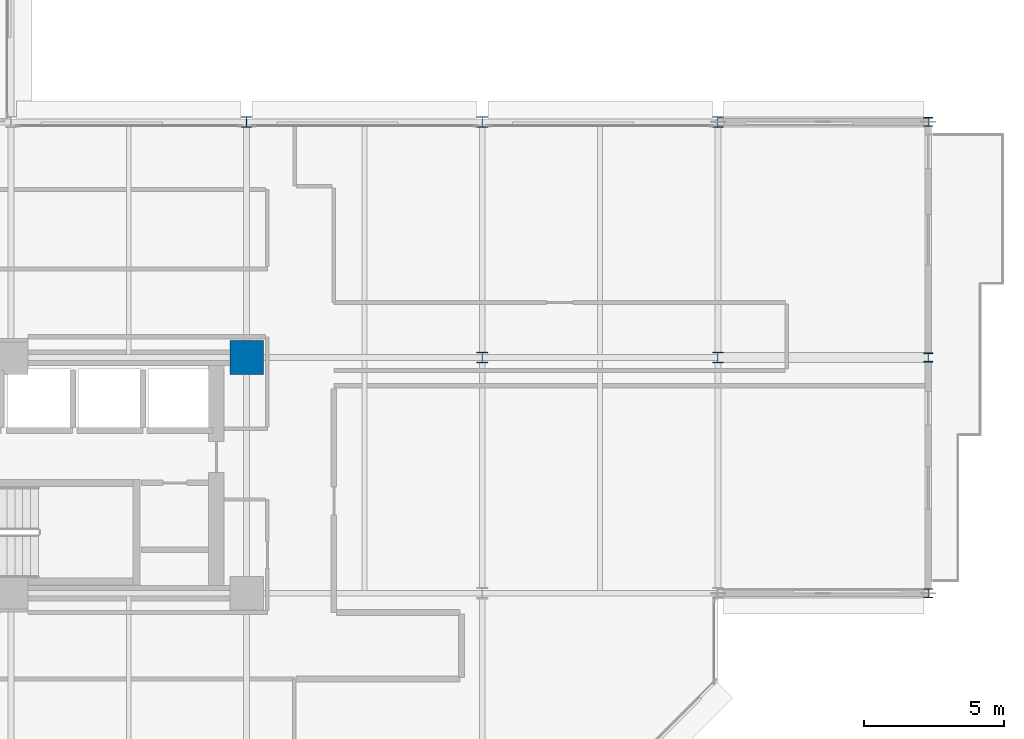
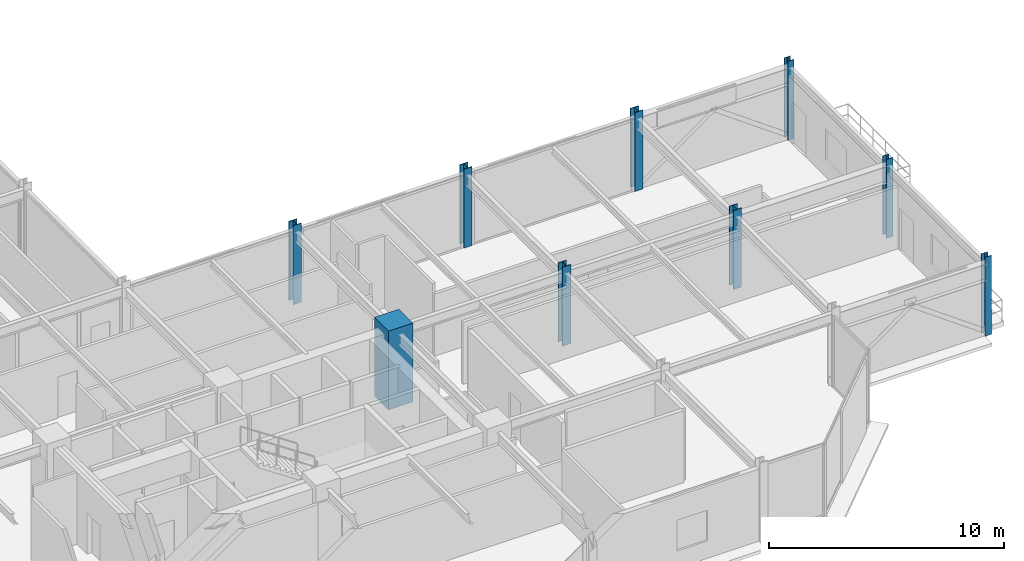
# One storey, part 2 of 40: 9 columns.
"""IFC4 building model written with IfcOpenShell, lengths in metres."""

from ifc_helpers import new_model, si_unit, direction, frame, origin, origin_2d, place, context, subcontext, project, spatial, rectangle, i_section, extrude, material, material_profile, profile_set, type_object, element, save


model = new_model("IFC4")

# Units and contexts
model_context = context("Model", 3, precision=1e-05, world=origin(), true_north=direction((0.0, 1.0)))
body_context = subcontext(model_context, "Body", "Model", "MODEL_VIEW")
ifc_project = project(units=[si_unit("LENGTHUNIT", "METRE"), si_unit("AREAUNIT", "SQUARE_METRE"), si_unit("VOLUMEUNIT", "CUBIC_METRE"), si_unit("PLANEANGLEUNIT", "RADIAN"), si_unit("MASSUNIT", "GRAM", prefix="KILO")], contexts=[model_context])

# Site, building, storey
site_placement = place(None, origin())
site = spatial("IfcSite", under=ifc_project, at=site_placement, CompositionType="ELEMENT")
building_placement = place(site_placement, origin())
building = spatial("IfcBuilding", under=site, at=building_placement, Name="Nerrivon Quay Data Exchange", CompositionType="ELEMENT")
storey_placement = place(building_placement, frame((0.0, 0.0, 109.0)))
storey = spatial("IfcBuildingStorey", under=building, at=storey_placement, Name="L25", CompositionType="ELEMENT", Elevation=109.0)

# Columns
ifc_material_1 = material(Name="Concrete S65 (65 MPa)", Category="concrete")
ifc_material_profile_1 = material_profile(ifc_material_1, rectangle(XDim=1.199951171875, YDim=1.199951171875, at=origin_2d()), Name="RC-COL-1200x1200")
ifc_profile_set_1 = profile_set([ifc_material_profile_1], Name="Concrete S65 (65 MPa)")
column_type_1 = type_object("IfcColumnType", Name="COL-C3-1200", PredefinedType="COLUMN", material=ifc_profile_set_1)
column_placement = place(storey_placement, frame((33.60009765625, 16.800048828125, 0.0), z_axis=(0.0, 0.0, 1.0), x_axis=(1.0, 0.0, 0.0)))
element("IfcColumn", 1, at=column_placement, inside=storey, type_object=column_type_1, Name="L25 Column (33.6,16.8)", PredefinedType="COLUMN", context=body_context, shape_type="SweptSolid", body=[
    extrude(rectangle(XDim=1.199951171875, YDim=1.199951171875, at=origin_2d()), origin(), (0.0, 0.0, 1.0), 4.10009765625),
])
ifc_material_2 = material(Name="Steel Grade 350", Category="steel")
ifc_material_profile_2 = material_profile(ifc_material_2, i_section(OverallWidth=0.39990234375, OverallDepth=0.39990234375, WebThickness=0.02490234375, FlangeThickness=0.0400390625, at=origin_2d()), Name="400WC328")
ifc_profile_set_2 = profile_set([ifc_material_profile_2], Name="Steel Grade 350")
column_type_2 = type_object("IfcColumnType", Name="COL-SC2-400WC", PredefinedType="COLUMN", material=ifc_profile_set_2)
for number, where, z_axis, x_axis, name in (
    (2, (33.60009765625, 25.199951171875, 0.0), (0.0, 0.0, 1.0), (1.0, 0.0, 0.0), "L25 Column (33.6,25.2)"),
    (3, (42.0, 16.800048828125, 0.0), (0.0, 0.0, 1.0), (1.0, 0.0, 0.0), "L25 Column (42.0,16.8)"),
    (4, (42.0, 25.199951171875, 0.0), (0.0, 0.0, 1.0), (1.0, 0.0, 0.0), "L25 Column (42.0,25.2)"),
    (5, (50.39990234375, 16.800048828125, 0.0), (0.0, 0.0, 1.0), (1.0, 0.0, 0.0), "L25 Column (50.4,16.8)"),
    (6, (50.39990234375, 25.199951171875, 0.0), (0.0, 0.0, 1.0), (1.0, 0.0, 0.0), "L25 Column (50.4,25.2)"),
):
    element("IfcColumn", number, at=place(storey_placement, frame(where, z_axis=z_axis, x_axis=x_axis)), inside=storey, type_object=column_type_2, Name=name, PredefinedType="COLUMN", context=body_context, shape_type="SweptSolid", body=[
        extrude(i_section(OverallWidth=0.39990234375, OverallDepth=0.39990234375, WebThickness=0.02490234375, FlangeThickness=0.0400390625, at=origin_2d()), origin(), (0.0, 0.0, 1.0), 4.10009765625),
    ])
ifc_material_profile_3 = material_profile(ifc_material_2, i_section(OverallWidth=0.31103515625, OverallDepth=0.326904296875, WebThickness=0.015625, FlangeThickness=0.02490234375, FilletRadius=0.0166015625, at=origin_2d()), Name="310UC158")
ifc_profile_set_3 = profile_set([ifc_material_profile_3], Name="Steel Grade 350")
column_type_3 = type_object("IfcColumnType", Name="COL-SC4-310UC158", PredefinedType="COLUMN", material=ifc_profile_set_3)
for number, where, z_axis, x_axis, name in (
    (7, (57.89990234375, 8.39990234375, 0.0), (0.0, 0.0, 1.0), (1.0, 0.0, 0.0), "L25 East Hooked Post (57.9,8.4)"),
    (8, (57.89990234375, 16.800048828125, 0.0), (0.0, 0.0, 1.0), (1.0, 0.0, 0.0), "L25 East Hooked Post (57.9,16.8)"),
    (9, (57.89990234375, 25.199951171875, 0.0), (0.0, 0.0, 1.0), (1.0, 0.0, 0.0), "L25 East Hooked Post (57.9,25.2)"),
):
    element("IfcColumn", number, at=place(storey_placement, frame(where, z_axis=z_axis, x_axis=x_axis)), inside=storey, type_object=column_type_3, Name=name, PredefinedType="COLUMN", context=body_context, shape_type="SweptSolid", body=[
        extrude(i_section(OverallWidth=0.31103515625, OverallDepth=0.326904296875, WebThickness=0.015625, FlangeThickness=0.02490234375, FilletRadius=0.0166015625, at=origin_2d()), origin(), (0.0, 0.0, 1.0), 4.10009765625),
    ])

save(model, "model.ifc")
